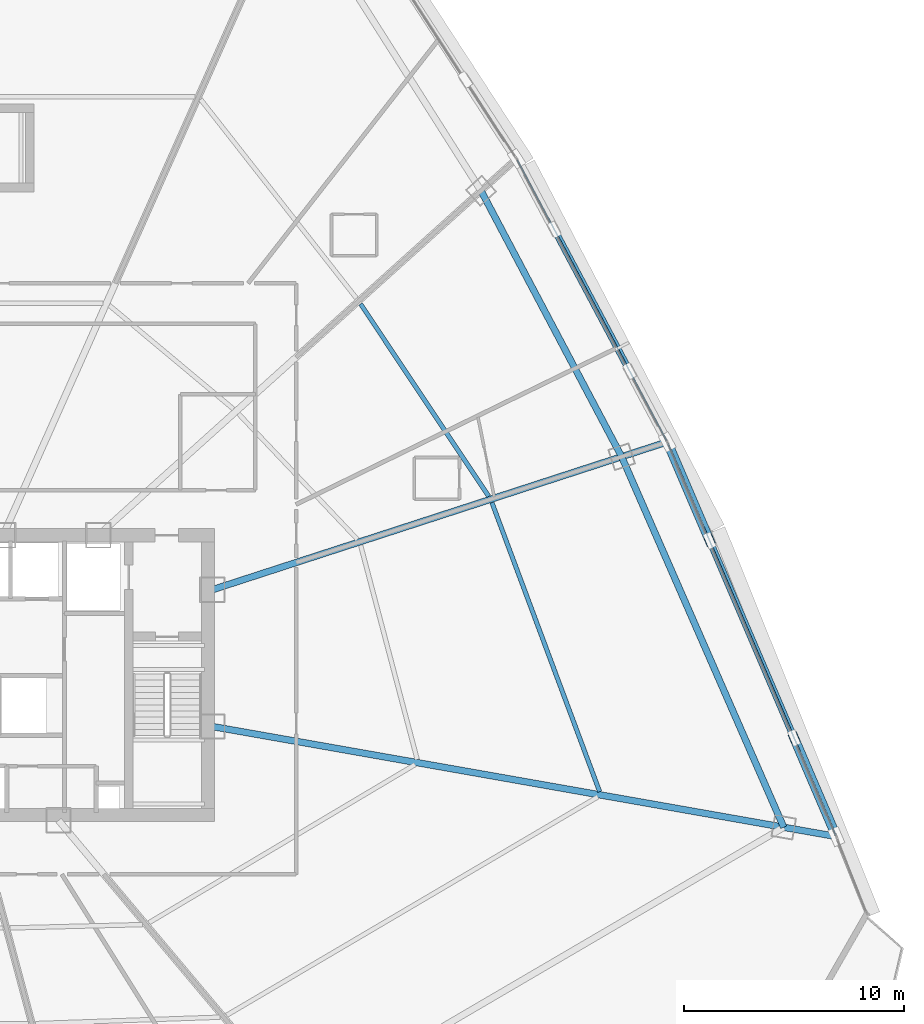
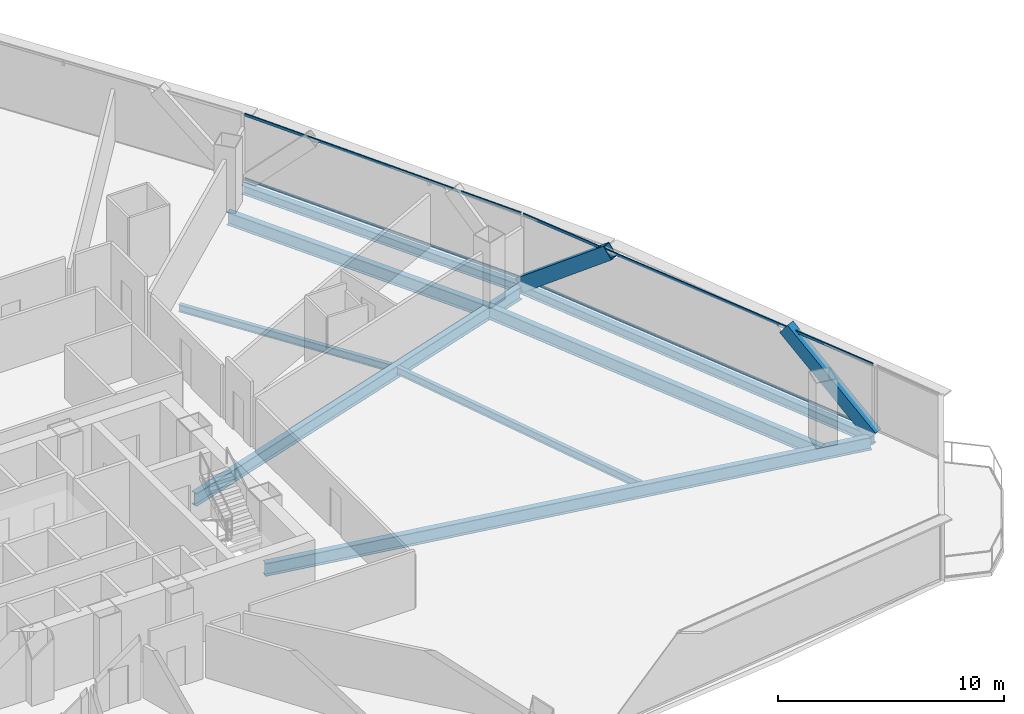
# One storey, part 23 of 38: 8 beams, 6 members, 2 elements without a shape of their own.
"""IFC4 building model written with IfcOpenShell, lengths in metres."""

from ifc_helpers import new_model, si_unit, direction, frame, origin, origin_2d, place, context, subcontext, project, spatial, hollow_rectangle, i_section, extrude, source, transform, mapped, material, layer, layer_set, material_profile, profile_set, type_object, element, aggregate, save


model = new_model("IFC4")

# Units and contexts
model_context = context("Model", 3, precision=1e-05, world=origin(), true_north=direction((0.0, 1.0)))
body_context = subcontext(model_context, "Body", "Model", "MODEL_VIEW")
ifc_project = project(units=[si_unit("LENGTHUNIT", "METRE"), si_unit("AREAUNIT", "SQUARE_METRE"), si_unit("VOLUMEUNIT", "CUBIC_METRE"), si_unit("PLANEANGLEUNIT", "RADIAN"), si_unit("MASSUNIT", "GRAM", prefix="KILO"), si_unit("THERMODYNAMICTEMPERATUREUNIT", "KELVIN"), si_unit("POWERUNIT", "WATT")], contexts=[model_context])

# Site, building, storey
site_placement = place(None, origin())
site = spatial("IfcSite", under=ifc_project, at=site_placement, CompositionType="ELEMENT")
building_placement = place(site_placement, origin())
building = spatial("IfcBuilding", under=site, at=building_placement, Name="Yunzhuo Pagoda Commons", CompositionType="ELEMENT")
storey_placement = place(building_placement, frame((0.0, 0.0, 81.179931640625)))
storey = spatial("IfcBuildingStorey", under=building, at=storey_placement, Name="L20", CompositionType="ELEMENT", Elevation=81.179931640625)

# Beams
ifc_material_1 = material(Name="Structural steel Q355B", Category="steel")
ifc_material_profile_1 = material_profile(ifc_material_1, i_section(OverallWidth=0.300048828125, OverallDepth=0.488037109375, WebThickness=0.010986328125, FlangeThickness=0.01806640625, at=origin_2d()), Name="Structural steel Q355B")
ifc_profile_set_1 = profile_set([ifc_material_profile_1], Name="Structural steel Q355B")
beam_type_1 = type_object("IfcBeamType", Name="B-SP1 Beam HM 488x300x11x18", PredefinedType="BEAM", material=ifc_profile_set_1)
shared_shape_1 = source(origin(), body_context, "Body", "SweptSolid", [
    extrude(i_section(OverallWidth=0.300048828125, OverallDepth=0.488037109375, WebThickness=0.010986328125, FlangeThickness=0.01806640625, at=origin_2d()), origin(), (0.0, 0.0, 1.0), 19.502685546875),
])
beam_1_placement = place(storey_placement, frame((88.742919921875, 26.515869140625, -0.50390625), z_axis=(-0.393662442568, 0.91925506869, 0.0), x_axis=(-0.91925506869, -0.393662442568, 0.0)))
element("IfcBeam", 1, at=beam_1_placement, inside=storey, type_object=beam_type_1, Name="L20 facade edge spandrel beam F2.1", PredefinedType="BEAM", context=body_context, shape_type="MappedRepresentation", body=[
    mapped(shared_shape_1, transform((0.0, 0.0, 0.0), scale=1.0)),
])
shared_shape_2 = source(origin(), body_context, "Body", "SweptSolid", [
    extrude(i_section(OverallWidth=0.300048828125, OverallDepth=0.488037109375, WebThickness=0.010986328125, FlangeThickness=0.01806640625, at=origin_2d()), origin(), (0.0, 0.0, 1.0), 14.572509765625),
])
beam_2_placement = place(storey_placement, frame((81.0654296875, 44.44384765625, -0.50390625), z_axis=(-0.469767169818, 0.882790352327, 0.0), x_axis=(-0.882790352327, -0.469767169818, 0.0)))
element("IfcBeam", 2, at=beam_2_placement, inside=storey, type_object=beam_type_1, Name="L20 facade edge spandrel beam F2.2", PredefinedType="BEAM", context=body_context, shape_type="MappedRepresentation", body=[
    mapped(shared_shape_2, transform((0.0, 0.0, 0.0), scale=1.0)),
])
ifc_material_profile_2 = material_profile(ifc_material_1, i_section(OverallWidth=0.300048828125, OverallDepth=0.699951171875, WebThickness=0.012939453125, FlangeThickness=0.02392578125, at=origin_2d()), Name="Structural steel Q355B")
ifc_profile_set_2 = profile_set([ifc_material_profile_2], Name="Structural steel Q355B")
beam_type_2 = type_object("IfcBeamType", Name="B-RG1 Beam HN 700x300x13x24", PredefinedType="BEAM", material=ifc_profile_set_2)
shared_shape_3 = source(origin(), body_context, "Body", "SweptSolid", [
    extrude(i_section(OverallWidth=0.300048828125, OverallDepth=0.699951171875, WebThickness=0.012939453125, FlangeThickness=0.02392578125, at=origin_2d()), origin(), (0.0, 0.0, 1.0), 18.37158203125),
])
beam_3_placement = place(storey_placement, frame((86.352783203125, 26.9375, -0.60986328125), z_axis=(-0.400729599795, 0.916196369698, 0.0), x_axis=(-0.916196369698, -0.400729599795, 0.0)))
element("IfcBeam", 3, at=beam_3_placement, inside=storey, type_object=beam_type_2, Name="L20 column-ring beam 5", PredefinedType="BEAM", context=body_context, shape_type="MappedRepresentation", body=[
    mapped(shared_shape_3, transform((0.0, 0.0, 0.0), scale=1.0)),
])
shared_shape_4 = source(origin(), body_context, "Body", "SweptSolid", [
    extrude(i_section(OverallWidth=0.300048828125, OverallDepth=0.699951171875, WebThickness=0.012939453125, FlangeThickness=0.02392578125, at=origin_2d()), origin(), (0.0, 0.0, 1.0), 13.66748046875),
])
beam_4_placement = place(storey_placement, frame((78.99072265625, 43.76953125, -0.60986328125), z_axis=(-0.467383716456, 0.88405455804, 0.0), x_axis=(-0.88405455804, -0.467383716456, 0.0)))
element("IfcBeam", 4, at=beam_4_placement, inside=storey, type_object=beam_type_2, Name="L20 column-ring beam 6", PredefinedType="BEAM", context=body_context, shape_type="MappedRepresentation", body=[
    mapped(shared_shape_4, transform((0.0, 0.0, 0.0), scale=1.0)),
])
shared_shape_5 = source(origin(), body_context, "Body", "SweptSolid", [
    extrude(i_section(OverallWidth=0.300048828125, OverallDepth=0.699951171875, WebThickness=0.012939453125, FlangeThickness=0.02392578125, at=origin_2d()), origin(), (0.0, 0.0, 1.0), 28.625),
])
beam_5_placement = place(storey_placement, frame((88.590087890625, 26.54296875, -0.60986328125), z_axis=(-0.984809134913, 0.173640340337, 0.0), x_axis=(-0.173640340337, -0.984809134913, 0.0)))
element("IfcBeam", 5, at=beam_5_placement, inside=storey, type_object=beam_type_2, Name="L20 radial floor girder F2C1", PredefinedType="BEAM", context=body_context, shape_type="MappedRepresentation", body=[
    mapped(shared_shape_5, transform((0.0, 0.0, 0.0), scale=1.0)),
])
shared_shape_6 = source(origin(), body_context, "Body", "SweptSolid", [
    extrude(i_section(OverallWidth=0.300048828125, OverallDepth=0.699951171875, WebThickness=0.012939453125, FlangeThickness=0.02392578125, at=origin_2d()), origin(), (0.0, 0.0, 1.0), 21.57373046875),
])
beam_6_placement = place(storey_placement, frame((80.917724609375, 44.3955078125, -0.60986328125), z_axis=(-0.951058432611, -0.309011096499, 0.0), x_axis=(0.309011096499, -0.951058432611, 0.0)))
element("IfcBeam", 6, at=beam_6_placement, inside=storey, type_object=beam_type_2, Name="L20 radial floor girder F2C2", PredefinedType="BEAM", context=body_context, shape_type="MappedRepresentation", body=[
    mapped(shared_shape_6, transform((0.0, 0.0, 0.0), scale=1.0)),
])
ifc_material_profile_3 = material_profile(ifc_material_1, i_section(OverallWidth=0.199951171875, OverallDepth=0.39990234375, WebThickness=0.008056640625, FlangeThickness=0.012939453125, at=origin_2d()), Name="Structural steel Q355B")
ifc_profile_set_3 = profile_set([ifc_material_profile_3], Name="Structural steel Q355B")
beam_type_3 = type_object("IfcBeamType", Name="B-JS1 Joist HN 400x200x8x13", PredefinedType="JOIST", material=ifc_profile_set_3)
shared_shape_7 = source(origin(), body_context, "Body", "SweptSolid", [
    extrude(i_section(OverallWidth=0.199951171875, OverallDepth=0.39990234375, WebThickness=0.008056640625, FlangeThickness=0.012939453125, at=origin_2d()), origin(), (0.0, 0.0, 1.0), 14.01904296875),
])
beam_7_placement = place(storey_placement, frame((77.992431640625, 28.55078125, -0.4599609375), z_axis=(-0.349168392993, 0.937059994523, 0.0), x_axis=(-0.937059994523, -0.349168392993, 0.0)))
element("IfcBeam", 7, at=beam_7_placement, inside=storey, type_object=beam_type_3, Name="L20 composite ring joist 2.5", PredefinedType="JOIST", context=body_context, shape_type="MappedRepresentation", body=[
    mapped(shared_shape_7, transform((0.0, 0.0, 0.0), scale=1.0)),
])
shared_shape_8 = source(origin(), body_context, "Body", "SweptSolid", [
    extrude(i_section(OverallWidth=0.199951171875, OverallDepth=0.39990234375, WebThickness=0.008056640625, FlangeThickness=0.012939453125, at=origin_2d()), origin(), (0.0, 0.0, 1.0), 10.50537109375),
])
beam_8_placement = place(storey_placement, frame((72.95361328125, 41.968994140625, -0.4599609375), z_axis=(-0.554523204193, 0.832168261839, 0.0), x_axis=(-0.832168261839, -0.554523204193, 0.0)))
element("IfcBeam", 8, at=beam_8_placement, inside=storey, type_object=beam_type_3, Name="L20 composite ring joist 2.6", PredefinedType="JOIST", context=body_context, shape_type="MappedRepresentation", body=[
    mapped(shared_shape_8, transform((0.0, 0.0, 0.0), scale=1.0)),
])

# Members
ifc_material_2 = material(Name="Structural steel Q420B", Category="steel")
ifc_material_profile_4 = material_profile(ifc_material_2, hollow_rectangle(XDim=0.419921875, YDim=0.719970703125, WallThickness=0.028076171875, at=origin_2d()), Name="Structural steel Q420B")
ifc_profile_set_4 = profile_set([ifc_material_profile_4], Name="Structural steel Q420B")
member_type_1 = type_object("IfcMemberType", Name="M-DL1 Brace BOX 720x420x28", PredefinedType="BRACE", material=ifc_profile_set_4)
shared_shape_9 = source(origin(), body_context, "Body", "SweptSolid", [
    extrude(hollow_rectangle(XDim=0.419921875, YDim=0.719970703125, WallThickness=0.028076171875, at=origin_2d()), origin(), (0.0, 0.0, 1.0), 6.181640625),
])
for number, where, z_axis, x_axis, name in (
    (9, (88.742919921875, 26.515869140625, -0.260009765625), (-0.310506974236, 0.725042868613, 0.614734298396), (-0.919248598495, -0.393677551006, 0.0), "L20 facade diamond brace F2.1L"),
    (10, (81.0654296875, 44.44384765625, -0.260009765625), (0.310462396264, -0.725070491414, 0.614724233284), (0.919274477274, 0.393617117809, 0.0), "L20 facade diamond brace F2.1R"),
):
    element("IfcMember", number, at=place(storey_placement, frame(where, z_axis=z_axis, x_axis=x_axis)), inside=storey, type_object=member_type_1, Name=name, PredefinedType="BRACE", context=body_context, shape_type="MappedRepresentation", body=[
        mapped(shared_shape_9, transform((0.0, 0.0, 0.0), scale=1.0)),
    ])

# Curtain wall, members
ifc_material_3 = material(Name="Anodized aluminium 6063-T6", Category="aluminium")
ifc_layer = layer(ifc_material_3, 0.1650390625)
ifc_layer_set = layer_set([ifc_layer], Name="Anodized aluminium 6063-T6")
curtain_wall_type = type_object("IfcCurtainWallType", Name="CW-LOW Low-Zone Ribbon Curtain Wall", PredefinedType="NOTDEFINED", material=ifc_layer_set)
curtain_wall_1_placement = place(storey_placement, origin())
curtain_wall_1 = element("IfcCurtainWall", 11, at=curtain_wall_1_placement, inside=storey, type_object=curtain_wall_type, Name="L20 curtain wall CW-L20-F2B2", PredefinedType="NOTDEFINED")
ifc_material_profile_5 = material_profile(ifc_material_3, hollow_rectangle(XDim=0.06005859375, YDim=0.139892578125, WallThickness=0.00341796875, at=origin_2d()), Name="Anodized aluminium 6063-T6")
ifc_profile_set_5 = profile_set([ifc_material_profile_5], Name="Anodized aluminium 6063-T6")
member_type_2 = type_object("IfcMemberType", Name="CW-LOW-T Transom RHS 140x60x3.5", PredefinedType="USERDEFINED", material=ifc_profile_set_5)
shared_shape_10 = source(origin(), body_context, "Body", "SweptSolid", [
    extrude(hollow_rectangle(XDim=0.06005859375, YDim=0.139892578125, WallThickness=0.00341796875, at=origin_2d()), origin(), (0.0, 0.0, 1.0), 19.37255859375),
])
member_1_placement = place(storey_placement, frame((88.71728515625, 26.57568359375, 0.030029296875), z_axis=(-0.39367592675, 0.919249294097, 0.0), x_axis=(-0.919249294097, -0.39367592675, 0.0)))
member_1 = element("IfcMember", 12, at=member_1_placement, type_object=member_type_2, Name="CW transom 1.1", ObjectType="TRANSOM", PredefinedType="USERDEFINED", context=body_context, shape_type="MappedRepresentation", body=[
    mapped(shared_shape_10, transform((0.0, 0.0, 0.0), scale=1.0)),
])
member_2_placement = place(storey_placement, frame((88.71728515625, 26.57568359375, 3.510009765625), z_axis=(-0.39367592675, 0.919249294097, 0.0), x_axis=(-0.919249294097, -0.39367592675, 0.0)))
member_2 = element("IfcMember", 13, at=member_2_placement, type_object=member_type_2, Name="CW transom 1.2", ObjectType="TRANSOM", PredefinedType="USERDEFINED", context=body_context, shape_type="MappedRepresentation", body=[
    mapped(shared_shape_10, transform((0.0, 0.0, 0.0), scale=1.0)),
])
aggregate(curtain_wall_1, [member_1, member_2])

curtain_wall_2_placement = place(storey_placement, origin())
curtain_wall_2 = element("IfcCurtainWall", 14, at=curtain_wall_2_placement, inside=storey, type_object=curtain_wall_type, Name="L20 curtain wall CW-L20-F2B3", PredefinedType="NOTDEFINED")
shared_shape_11 = source(origin(), body_context, "Body", "SweptSolid", [
    extrude(hollow_rectangle(XDim=0.06005859375, YDim=0.139892578125, WallThickness=0.00341796875, at=origin_2d()), origin(), (0.0, 0.0, 1.0), 14.442626953125),
])
member_3_placement = place(storey_placement, frame((81.03466796875, 44.5009765625, 0.030029296875), z_axis=(-0.46974837333, 0.882800354414, 0.0), x_axis=(-0.882800354414, -0.46974837333, 0.0)))
member_3 = element("IfcMember", 15, at=member_3_placement, type_object=member_type_2, Name="CW transom 1.1", ObjectType="TRANSOM", PredefinedType="USERDEFINED", context=body_context, shape_type="MappedRepresentation", body=[
    mapped(shared_shape_11, transform((0.0, 0.0, 0.0), scale=1.0)),
])
member_4_placement = place(storey_placement, frame((81.03466796875, 44.5009765625, 3.510009765625), z_axis=(-0.46974837333, 0.882800354414, 0.0), x_axis=(-0.882800354414, -0.46974837333, 0.0)))
member_4 = element("IfcMember", 16, at=member_4_placement, type_object=member_type_2, Name="CW transom 1.2", ObjectType="TRANSOM", PredefinedType="USERDEFINED", context=body_context, shape_type="MappedRepresentation", body=[
    mapped(shared_shape_11, transform((0.0, 0.0, 0.0), scale=1.0)),
])
aggregate(curtain_wall_2, [member_3, member_4])

save(model, "model.ifc")
